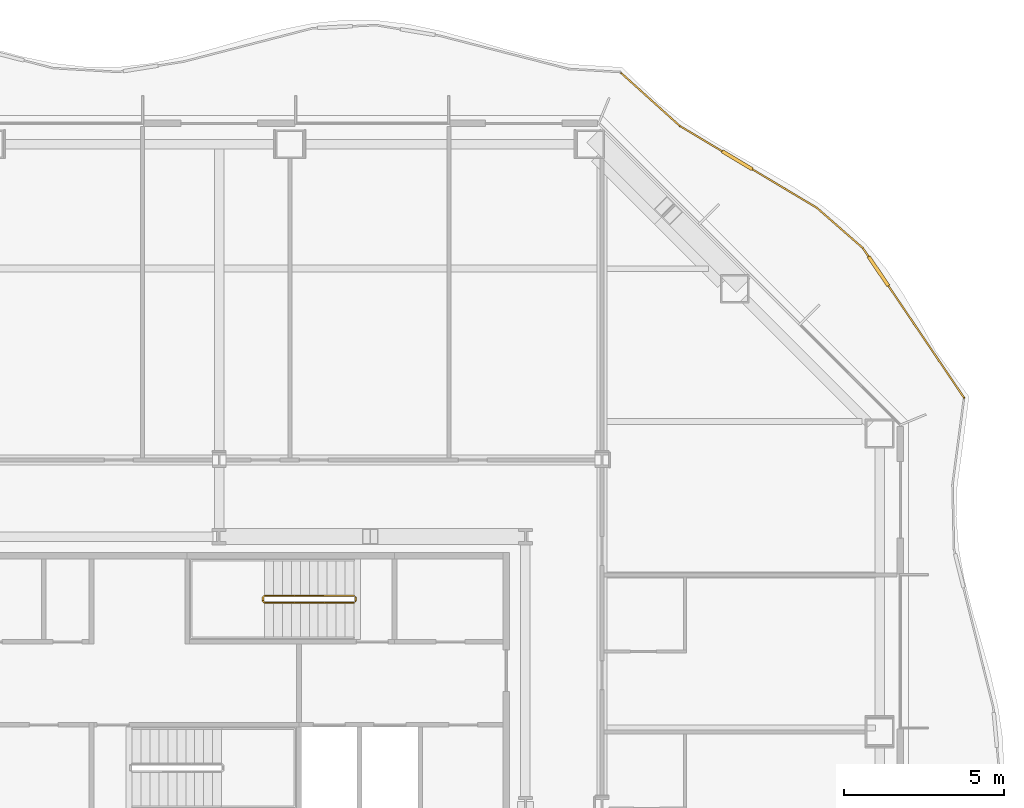
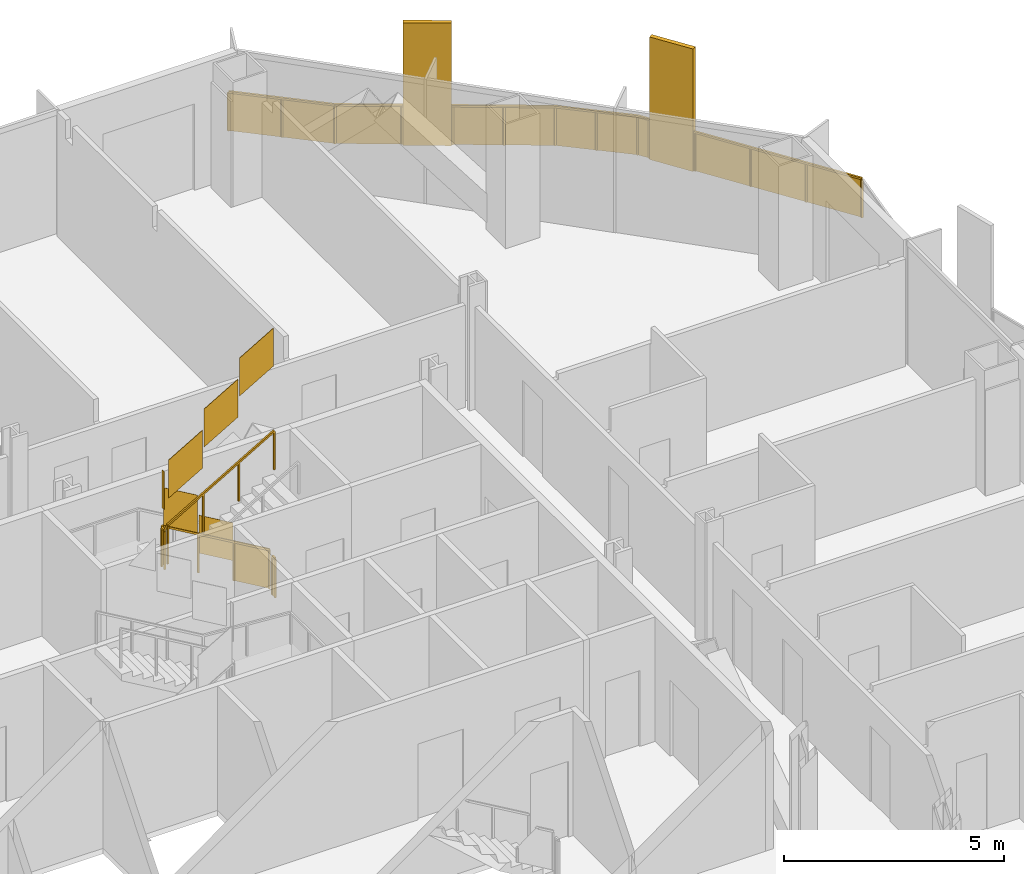
# One storey, part 21 of 21: 3 railings.
"""IFC4 building model written with IfcOpenShell, lengths in metres."""

from ifc_helpers import new_model, si_unit, direction, frame, origin, origin_2d, place, context, subcontext, project, spatial, polyline, rectangle, outline, extrude, material, type_object, element, save


model = new_model("IFC4")

# Units and contexts
model_context = context("Model", 3, precision=1e-05, world=origin(), true_north=direction((0.0, 1.0)))
body_context = subcontext(model_context, "Body", "Model", "MODEL_VIEW")
ifc_project = project(units=[si_unit("LENGTHUNIT", "METRE"), si_unit("AREAUNIT", "SQUARE_METRE"), si_unit("VOLUMEUNIT", "CUBIC_METRE"), si_unit("PLANEANGLEUNIT", "RADIAN"), si_unit("MASSUNIT", "GRAM", prefix="KILO")], contexts=[model_context])

# Site, building, storey
site_placement = place(None, origin())
site = spatial("IfcSite", under=ifc_project, at=site_placement, CompositionType="ELEMENT")
building_placement = place(site_placement, origin())
building = spatial("IfcBuilding", under=site, at=building_placement, Name="Cairn Pilgrim Tower", CompositionType="ELEMENT")
storey_placement = place(building_placement, frame((0.0, 0.0, 69.0)))
storey = spatial("IfcBuildingStorey", under=building, at=storey_placement, Name="L15", CompositionType="ELEMENT", Elevation=69.0)

# Railings
ifc_material_1 = material(Name="Bronze anodised aluminium rail, posts and fin screens with laminated glass infill", Category="aluminium")
railing_type_1 = type_object("IfcRailingType", Name="BALCONY GUARD WITH FIN SCREENS", PredefinedType="GUARDRAIL", material=ifc_material_1)
railing_1_placement = place(storey_placement, frame((30.547119140625, 15.151611328125, 0.0)))
element("IfcRailing", 1, at=railing_1_placement, inside=storey, type_object=railing_type_1, Name="Balcony guard BGF-4 with fin screens", PredefinedType="GUARDRAIL", context=body_context, shape_type="SweptSolid", body=[
    extrude(rectangle(XDim=1.10009765625, YDim=0.110107421875, at=origin_2d()), frame((-2.681396484375, 3.964599609375, 0.0), z_axis=(0.0, 0.0, 1.0), x_axis=(-0.56022761993, 0.828338707213, 0.0)), (0.0, 0.0, 1.0), 3.39990234375),
    extrude(rectangle(XDim=0.050048828125, YDim=0.050048828125, at=origin_2d()), frame((0.0, 0.0, 1.0751953125), z_axis=(-0.56022761993, 0.828338707213, 0.0), x_axis=(-0.828338707213, -0.56022761993, 0.0)), (0.0, 0.0, 1.0), 4.236083984375),
    extrude(rectangle(XDim=0.050048828125, YDim=0.050048828125, at=origin_2d()), frame((-2.989501953125, 4.420166015625, 1.0751953125), z_axis=(-0.56022761993, 0.828338707213, 0.0), x_axis=(-0.828338707213, -0.56022761993, 0.0)), (0.0, 0.0, 1.0), 0.32861328125),
    extrude(rectangle(XDim=0.050048828125, YDim=0.050048828125, at=origin_2d()), frame((-3.173583984375, 4.6923828125, 1.0751953125), z_axis=(-0.752442123927, 0.658658371343, 0.0), x_axis=(-0.658658371343, -0.752442123927, 0.0)), (0.0, 0.0, 1.0), 1.910888671875),
    extrude(rectangle(XDim=1.10009765625, YDim=0.110107421875, at=origin_2d()), frame((-7.107666015625, 7.4423828125, 0.0), z_axis=(0.0, 0.0, 1.0), x_axis=(-0.858451928662, 0.512894030163, 0.0)), (0.0, 0.0, 1.0), 3.39990234375),
    extrude(rectangle(XDim=0.050048828125, YDim=0.050048828125, at=origin_2d()), frame((-4.611328125, 5.950927734375, 1.0751953125), z_axis=(-0.858451928662, 0.512894030163, 0.0), x_axis=(-0.512894030163, -0.858451928662, 0.0)), (0.0, 0.0, 1.0), 2.35791015625),
    extrude(rectangle(XDim=0.050048828125, YDim=0.050048828125, at=origin_2d()), frame((-7.57958984375, 7.724365234375, 1.0751953125), z_axis=(-0.858451928662, 0.512894030163, 0.0), x_axis=(-0.512894030163, -0.858451928662, 0.0)), (0.0, 0.0, 1.0), 1.54345703125),
    extrude(rectangle(XDim=0.050048828125, YDim=0.050048828125, at=origin_2d()), frame((-8.90478515625, 8.51611328125, 1.0751953125), z_axis=(-0.743023689505, 0.669265117001, 0.0), x_axis=(-0.669265117001, -0.743023689505, 0.0)), (0.0, 0.0, 1.0), 2.46923828125),
    extrude(rectangle(XDim=0.050048828125, YDim=0.050048828125, at=origin_2d()), origin(), (0.0, 0.0, 1.0), 1.050048828125),
    extrude(rectangle(XDim=0.050048828125, YDim=0.050048828125, at=origin_2d()), frame((-0.786376953125, 1.162841796875, 0.0)), (0.0, 0.0, 1.0), 1.050048828125),
    extrude(rectangle(XDim=0.050048828125, YDim=0.050048828125, at=origin_2d()), frame((-1.57275390625, 2.325439453125, 0.0)), (0.0, 0.0, 1.0), 1.050048828125),
    extrude(rectangle(XDim=0.050048828125, YDim=0.050048828125, at=origin_2d()), frame((-2.359130859375, 3.48828125, 0.0)), (0.0, 0.0, 1.0), 1.050048828125),
    extrude(rectangle(XDim=0.050048828125, YDim=0.050048828125, at=origin_2d()), frame((-3.00341796875, 4.44091796875, 0.0)), (0.0, 0.0, 1.0), 1.050048828125),
    extrude(rectangle(XDim=0.050048828125, YDim=0.050048828125, at=origin_2d()), frame((-3.173583984375, 4.6923828125, 0.0)), (0.0, 0.0, 1.0), 1.050048828125),
    extrude(rectangle(XDim=0.050048828125, YDim=0.050048828125, at=origin_2d()), frame((-3.892578125, 5.32177734375, 0.0)), (0.0, 0.0, 1.0), 1.050048828125),
    extrude(rectangle(XDim=0.050048828125, YDim=0.050048828125, at=origin_2d()), frame((-4.611328125, 5.950927734375, 0.0)), (0.0, 0.0, 1.0), 1.050048828125),
    extrude(rectangle(XDim=0.050048828125, YDim=0.050048828125, at=origin_2d()), frame((-5.612548828125, 6.549072265625, 0.0)), (0.0, 0.0, 1.0), 1.050048828125),
    extrude(rectangle(XDim=0.050048828125, YDim=0.050048828125, at=origin_2d()), frame((-6.614013671875, 7.1474609375, 0.0)), (0.0, 0.0, 1.0), 1.050048828125),
    extrude(rectangle(XDim=0.050048828125, YDim=0.050048828125, at=origin_2d()), frame((-7.60107421875, 7.7373046875, 0.0)), (0.0, 0.0, 1.0), 1.050048828125),
    extrude(rectangle(XDim=0.050048828125, YDim=0.050048828125, at=origin_2d()), frame((-8.90478515625, 8.51611328125, 0.0)), (0.0, 0.0, 1.0), 1.050048828125),
    extrude(rectangle(XDim=0.050048828125, YDim=0.050048828125, at=origin_2d()), frame((-9.822265625, 9.34228515625, 0.0)), (0.0, 0.0, 1.0), 1.050048828125),
    extrude(rectangle(XDim=0.050048828125, YDim=0.050048828125, at=origin_2d()), frame((-10.739501953125, 10.168701171875, 0.0)), (0.0, 0.0, 1.0), 1.050048828125),
    extrude(outline(polyline([(0.02490234375, 0.0), (1.378662109375, 0.0), (1.378662109375, 1.050048828125), (0.02490234375, 1.050048828125), (0.02490234375, 0.0)])), frame((-0.0048828125, -0.00341796875, 0.0), z_axis=(0.828338707213, 0.56022761993, 0.0), x_axis=(-0.56022761993, 0.828338707213, 0.0)), (0.0, 0.0, 1.0), 0.011962890625),
    extrude(outline(polyline([(0.02490234375, 0.0), (1.378662109375, 0.0), (1.378662109375, 1.050048828125), (0.02490234375, 1.050048828125), (0.02490234375, 0.0)])), frame((-0.791259765625, 1.159423828125, 0.0), z_axis=(0.828338707213, 0.56022761993, 0.0), x_axis=(-0.56022761993, 0.828338707213, 0.0)), (0.0, 0.0, 1.0), 0.011962890625),
    extrude(outline(polyline([(0.02490234375, 0.0), (1.378662109375, 0.0), (1.378662109375, 1.050048828125), (0.02490234375, 1.050048828125), (0.02490234375, 0.0)])), frame((-1.57763671875, 2.322021484375, 0.0), z_axis=(0.828338707213, 0.56022761993, 0.0), x_axis=(-0.56022761993, 0.828338707213, 0.0)), (0.0, 0.0, 1.0), 0.011962890625),
    extrude(outline(polyline([(0.02490234375, 0.0), (0.278564453125, 0.0), (0.278564453125, 1.050048828125), (0.02490234375, 1.050048828125), (0.02490234375, 0.0)])), frame((-3.00830078125, 4.4375, 0.0), z_axis=(0.828338707213, 0.56022761993, 0.0), x_axis=(-0.56022761993, 0.828338707213, 0.0)), (0.0, 0.0, 1.0), 0.011962890625),
    extrude(outline(polyline([(0.02490234375, 0.0), (0.930419921875, 0.0), (0.930419921875, 1.050048828125), (0.02490234375, 1.050048828125), (0.02490234375, 0.0)])), frame((-3.177490234375, 4.68798828125, 0.0), z_axis=(0.658658371343, 0.752442123927, 0.0), x_axis=(-0.752442123927, 0.658658371343, 0.0)), (0.0, 0.0, 1.0), 0.011962890625),
    extrude(outline(polyline([(0.02490234375, 0.0), (0.930419921875, 0.0), (0.930419921875, 1.050048828125), (0.02490234375, 1.050048828125), (0.02490234375, 0.0)])), frame((-3.896484375, 5.317138671875, 0.0), z_axis=(0.658658371343, 0.752442123927, 0.0), x_axis=(-0.752442123927, 0.658658371343, 0.0)), (0.0, 0.0, 1.0), 0.011962890625),
    extrude(outline(polyline([(0.02490234375, 0.0), (1.141357421875, 0.0), (1.141357421875, 1.050048828125), (0.02490234375, 1.050048828125), (0.02490234375, 0.0)])), frame((-4.614501953125, 5.94580078125, 0.0), z_axis=(0.512894030163, 0.858451928662, 0.0), x_axis=(-0.858451928662, 0.512894030163, 0.0)), (0.0, 0.0, 1.0), 0.011962890625),
    extrude(outline(polyline([(0.02490234375, 0.0), (1.141357421875, 0.0), (1.141357421875, 1.050048828125), (0.02490234375, 1.050048828125), (0.02490234375, 0.0)])), frame((-5.61572265625, 6.5439453125, 0.0), z_axis=(0.512894030163, 0.858451928662, 0.0), x_axis=(-0.858451928662, 0.512894030163, 0.0)), (0.0, 0.0, 1.0), 0.011962890625),
    extrude(outline(polyline([(0.02490234375, 0.0), (1.493408203125, 0.0), (1.493408203125, 1.050048828125), (0.02490234375, 1.050048828125), (0.02490234375, 0.0)])), frame((-7.604248046875, 7.732177734375, 0.0), z_axis=(0.512894030163, 0.858451928662, 0.0), x_axis=(-0.858451928662, 0.512894030163, 0.0)), (0.0, 0.0, 1.0), 0.011962890625),
    extrude(outline(polyline([(0.02490234375, 0.0), (1.209716796875, 0.0), (1.209716796875, 1.050048828125), (0.02490234375, 1.050048828125), (0.02490234375, 0.0)])), frame((-8.90869140625, 8.51171875, 0.0), z_axis=(0.669265117001, 0.743023689505, 0.0), x_axis=(-0.743023689505, 0.669265117001, 0.0)), (0.0, 0.0, 1.0), 0.011962890625),
    extrude(outline(polyline([(0.02490234375, 0.0), (1.209716796875, 0.0), (1.209716796875, 1.050048828125), (0.02490234375, 1.050048828125), (0.02490234375, 0.0)])), frame((-9.826171875, 9.337890625, 0.0), z_axis=(0.669265117001, 0.743023689505, 0.0), x_axis=(-0.743023689505, 0.669265117001, 0.0)), (0.0, 0.0, 1.0), 0.011962890625),
])
ifc_material_2 = material(Name="Painted steel", Category="steel")
railing_type_2 = type_object("IfcRailingType", Name="STAIR GUARD 1100", PredefinedType="GUARDRAIL", material=ifc_material_2)
railing_2_placement = place(storey_placement, frame((11.425048828125, 8.949951171875, 0.16357421875)))
element("IfcRailing", 2, at=railing_2_placement, inside=storey, type_object=railing_type_2, Name="L15 ST-C stair guard 1", PredefinedType="GUARDRAIL", context=body_context, shape_type="SweptSolid", body=[
    extrude(rectangle(XDim=0.048095703125, YDim=0.048095703125, at=origin_2d()), frame((0.0, 0.0, 1.076171875), z_axis=(-0.863360870873, 0.0, 0.504586966384), x_axis=(0.0, -1.0, 0.0)), (0.0, 0.0, 1.0), 3.2431640625),
    extrude(rectangle(XDim=0.048095703125, YDim=0.048095703125, at=origin_2d()), frame((-2.800048828125, 0.0, 2.71240234375), z_axis=(-0.707106781187, -0.707106781187, 0.0), x_axis=(0.707106781187, -0.707106781187, 0.0)), (0.0, 0.0, 1.0), 0.07080078125),
    extrude(rectangle(XDim=0.048095703125, YDim=0.048095703125, at=origin_2d()), frame((-2.85009765625, -0.050048828125, 2.71240234375), z_axis=(0.0, -1.0, 0.0), x_axis=(1.0, 0.0, 0.0)), (0.0, 0.0, 1.0), 0.125),
    extrude(rectangle(XDim=0.048095703125, YDim=0.048095703125, at=origin_2d()), frame((-2.85009765625, -0.175048828125, 2.71240234375), z_axis=(0.280916556609, -0.279546231943, 0.91811752648), x_axis=(0.705375805398, 0.708833529934, 0.0)), (0.0, 0.0, 1.0), 0.17822265625),
    extrude(rectangle(XDim=0.048095703125, YDim=0.048095703125, at=origin_2d()), frame((-2.800048828125, -0.224853515625, 2.8759765625), z_axis=(0.863360870873, 0.0, 0.504586966384), x_axis=(0.0, 1.0, 0.0)), (0.0, 0.0, 1.0), 3.2431640625),
    extrude(rectangle(XDim=0.0419921875, YDim=0.0419921875, at=origin_2d()), origin(), (0.0, 0.0, 1.0), 1.052001953125),
    extrude(rectangle(XDim=0.0419921875, YDim=0.0419921875, at=origin_2d()), frame((-0.933349609375, 0.0, 0.54541015625)), (0.0, 0.0, 1.0), 1.052001953125),
    extrude(rectangle(XDim=0.0419921875, YDim=0.0419921875, at=origin_2d()), frame((-1.86669921875, 0.0, 1.091064453125)), (0.0, 0.0, 1.0), 1.052001953125),
    extrude(rectangle(XDim=0.0419921875, YDim=0.0419921875, at=origin_2d()), frame((-2.800048828125, 0.0, 1.636474609375)), (0.0, 0.0, 1.0), 1.052001953125),
    extrude(rectangle(XDim=0.0419921875, YDim=0.0419921875, at=origin_2d()), frame((-2.85009765625, -0.050048828125, 1.636474609375)), (0.0, 0.0, 1.0), 1.052001953125),
    extrude(rectangle(XDim=0.0419921875, YDim=0.0419921875, at=origin_2d()), frame((-2.85009765625, -0.175048828125, 1.636474609375)), (0.0, 0.0, 1.0), 1.052001953125),
    extrude(rectangle(XDim=0.0419921875, YDim=0.0419921875, at=origin_2d()), frame((-2.800048828125, -0.224853515625, 1.800048828125)), (0.0, 0.0, 1.0), 1.052001953125),
    extrude(rectangle(XDim=0.0419921875, YDim=0.0419921875, at=origin_2d()), frame((-1.86669921875, -0.224853515625, 2.345458984375)), (0.0, 0.0, 1.0), 1.052001953125),
    extrude(rectangle(XDim=0.0419921875, YDim=0.0419921875, at=origin_2d()), frame((-0.933349609375, -0.224853515625, 2.89111328125)), (0.0, 0.0, 1.0), 1.052001953125),
    extrude(rectangle(XDim=0.0419921875, YDim=0.0419921875, at=origin_2d()), frame((0.0, -0.224853515625, 3.4365234375)), (0.0, 0.0, 1.0), 1.052001953125),
    extrude(outline(polyline([(0.02099609375, 0.01220703125), (0.912353515625, 0.533203125), (0.912353515625, 1.585205078125), (0.02099609375, 1.064208984375), (0.02099609375, 0.01220703125)])), frame((0.0, -0.005859375, 0.0), z_axis=(0.0, 1.0, 0.0), x_axis=(-1.0, 0.0, 0.0)), (0.0, 0.0, 1.0), 0.011962890625),
    extrude(outline(polyline([(0.02099609375, 0.557861328125), (0.912353515625, 1.07861328125), (0.912353515625, 2.130615234375), (0.02099609375, 1.60986328125), (0.02099609375, 0.557861328125)])), frame((-0.933349609375, -0.005859375, 0.54541015625), z_axis=(0.0, 1.0, 0.0), x_axis=(-1.0, 0.0, 0.0)), (0.0, 0.0, 1.0), 0.011962890625),
    extrude(outline(polyline([(0.02099609375, 1.103271484375), (0.912353515625, 1.624267578125), (0.912353515625, 2.67626953125), (0.02099609375, 2.1552734375), (0.02099609375, 1.103271484375)])), frame((-1.86669921875, -0.005859375, 1.091064453125), z_axis=(0.0, 1.0, 0.0), x_axis=(-1.0, 0.0, 0.0)), (0.0, 0.0, 1.0), 0.011962890625),
    extrude(outline(polyline([(0.02099609375, 1.636474609375), (0.10400390625, 1.636474609375), (0.10400390625, 2.6884765625), (0.02099609375, 2.6884765625), (0.02099609375, 1.636474609375)])), frame((-2.84423828125, -0.050048828125, 1.636474609375), z_axis=(-1.0, 0.0, 0.0), x_axis=(0.0, -1.0, 0.0)), (0.0, 0.0, 1.0), 0.011962890625),
    extrude(outline(polyline([(0.02099609375, 1.812255859375), (0.912353515625, 2.333251953125), (0.912353515625, 3.38525390625), (0.02099609375, 2.8642578125), (0.02099609375, 1.812255859375)])), frame((-2.800048828125, -0.21875, 1.800048828125), z_axis=(0.0, -1.0, 0.0), x_axis=(1.0, 0.0, 0.0)), (0.0, 0.0, 1.0), 0.011962890625),
    extrude(outline(polyline([(0.02099609375, 2.35791015625), (0.912353515625, 2.878662109375), (0.912353515625, 3.9306640625), (0.02099609375, 3.409912109375), (0.02099609375, 2.35791015625)])), frame((-1.86669921875, -0.21875, 2.345458984375), z_axis=(0.0, -1.0, 0.0), x_axis=(1.0, 0.0, 0.0)), (0.0, 0.0, 1.0), 0.011962890625),
    extrude(outline(polyline([(0.02099609375, 2.9033203125), (0.912353515625, 3.42431640625), (0.912353515625, 4.476318359375), (0.02099609375, 3.955322265625), (0.02099609375, 2.9033203125)])), frame((-0.933349609375, -0.21875, 2.89111328125), z_axis=(0.0, -1.0, 0.0), x_axis=(1.0, 0.0, 0.0)), (0.0, 0.0, 1.0), 0.011962890625),
])
railing_3_placement = place(storey_placement, frame((11.47509765625, 8.89990234375, 0.0)))
element("IfcRailing", 3, at=railing_3_placement, inside=storey, type_object=railing_type_2, Name="L15 ST-C stair guard 2", PredefinedType="GUARDRAIL", context=body_context, shape_type="SweptSolid", body=[
    extrude(rectangle(XDim=0.048095703125, YDim=0.048095703125, at=origin_2d()), frame((0.0, 0.0, 1.076171875), z_axis=(0.0, -1.0, 0.0), x_axis=(1.0, 0.0, 0.0)), (0.0, 0.0, 1.0), 0.125),
    extrude(rectangle(XDim=0.0419921875, YDim=0.0419921875, at=origin_2d()), origin(), (0.0, 0.0, 1.0), 1.052001953125),
    extrude(rectangle(XDim=0.0419921875, YDim=0.0419921875, at=origin_2d()), frame((0.0, -0.125, 0.0)), (0.0, 0.0, 1.0), 1.052001953125),
    extrude(outline(polyline([(0.02099609375, 0.0), (0.10400390625, 0.0), (0.10400390625, 1.052001953125), (0.02099609375, 1.052001953125), (0.02099609375, 0.0)])), frame((0.005859375, 0.0, 0.0), z_axis=(-1.0, 0.0, 0.0), x_axis=(0.0, -1.0, 0.0)), (0.0, 0.0, 1.0), 0.011962890625),
])

save(model, "model.ifc")
